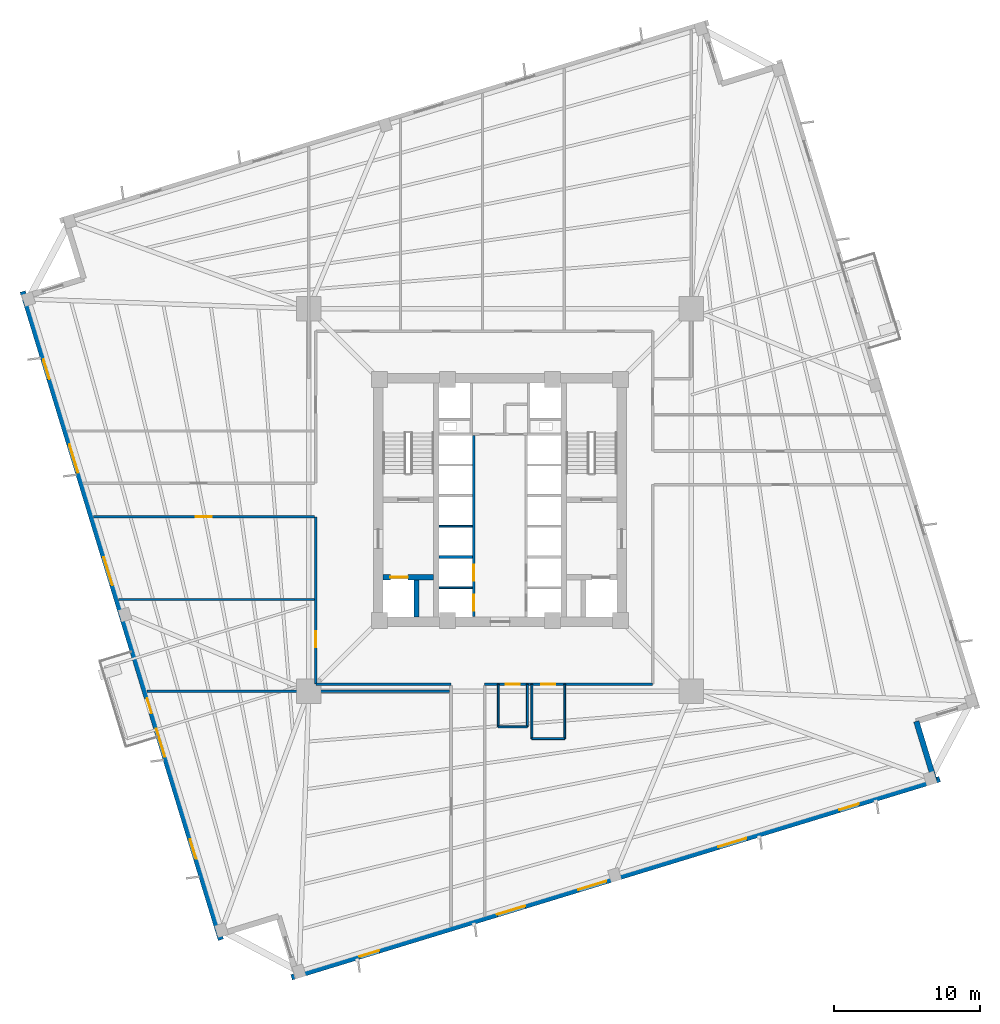
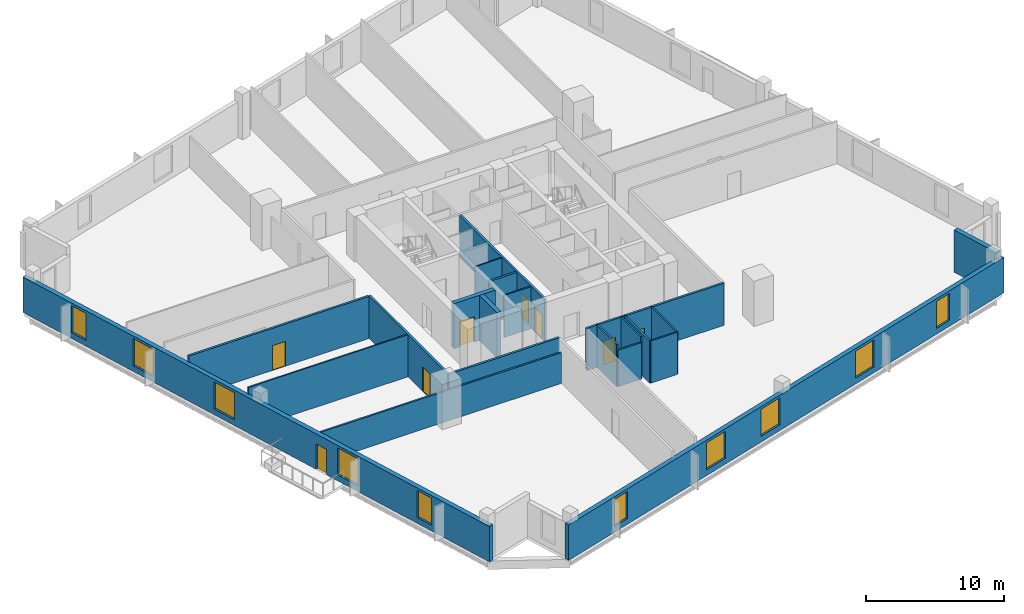
# One storey, part 3 of 9: 21 walls, 10 windows, 8 doors, 18 openings.
"""IFC4 building model written with IfcOpenShell, lengths in metres."""

from ifc_helpers import new_model, si_unit, direction, frame, frame_2d, origin, place, context, subcontext, project, spatial, rectangle, extrude, source, transform, mapped, material, layer, layer_set, type_object, element, fill, save


model = new_model("IFC4")

# Units and contexts
model_context = context("Model", 3, precision=1e-05, world=origin(), true_north=direction((0.0, 1.0)))
body_context = subcontext(model_context, "Body", "Model", "MODEL_VIEW")
ifc_project = project(units=[si_unit("LENGTHUNIT", "METRE"), si_unit("AREAUNIT", "SQUARE_METRE"), si_unit("VOLUMEUNIT", "CUBIC_METRE"), si_unit("PLANEANGLEUNIT", "RADIAN"), si_unit("MASSUNIT", "GRAM", prefix="KILO"), si_unit("THERMODYNAMICTEMPERATUREUNIT", "KELVIN")], contexts=[model_context])

# Site, building, storey
site_placement = place(None, origin())
site = spatial("IfcSite", under=ifc_project, at=site_placement, CompositionType="ELEMENT")
building_placement = place(site_placement, origin())
building = spatial("IfcBuilding", under=site, at=building_placement, Name="Kosmvard Interchange Tower", CompositionType="ELEMENT")
storey_placement = place(building_placement, frame((0.0, 0.0, 83.199951171875)))
storey = spatial("IfcBuildingStorey", under=building, at=storey_placement, Name="L19", CompositionType="ELEMENT", Elevation=83.199951171875)

# Wall
ifc_material_1 = material(Name="Acoustic gypsum partition system")
ifc_layer_1 = layer(ifc_material_1, 0.14990234375, Name="Acoustic gypsum partition system")
ifc_layer_set_1 = layer_set([ifc_layer_1], Name="Acoustic gypsum partition system")
wall_type_1 = type_object("IfcWallType", Name="Acoustic Suite & Meeting Partition 150", PredefinedType="PARTITIONING", material=ifc_layer_set_1)
wall_1_placement = place(storey_placement, frame((-24.16650390625, -13.0810546875, 0.0), z_axis=(0.0, 0.0, 1.0), x_axis=(1.0, 0.0, 0.0)))
element("IfcWall", 1, at=wall_1_placement, inside=storey, type_object=wall_type_1, Name="L19 Room Partition 10.1", PredefinedType="PARTITIONING", context=body_context, shape_type="SweptSolid", body=[
    extrude(rectangle(XDim=20.721435546875, YDim=0.14990234375, at=frame_2d((10.36083984375, 0.0))), origin(), (0.0, 0.0, 1.0), 2.73193359375),
])

# Wall, openings, doors
ifc_material_2 = material(Name="Fire-rated gypsum partition system")
ifc_layer_2 = layer(ifc_material_2, 0.179931640625, Name="Fire-rated gypsum partition system")
ifc_layer_set_2 = layer_set([ifc_layer_2], Name="Fire-rated gypsum partition system")
wall_type_2 = type_object("IfcWallType", Name="Corridor & Hotel Compartment Partition 180", PredefinedType="PARTITIONING", material=ifc_layer_set_2)
wall_2_placement = place(storey_placement, frame((-1.7900390625, -7.97998046875, 0.0), z_axis=(0.0, 0.0, 1.0), x_axis=(0.0, 1.0, 0.0)))
wall_2 = element("IfcWall", 2, at=wall_2_placement, inside=storey, type_object=wall_type_2, Name="L19 West Lift Bank Front Wall", PredefinedType="PARTITIONING", context=body_context, shape_type="SweptSolid", body=[
    extrude(rectangle(XDim=12.3798828125, YDim=0.179931640625, at=frame_2d((6.18994140625, 0.0))), origin(), (0.0, 0.0, 1.0), 3.739990234375),
])
opening_1_placement = place(wall_2_placement, frame((0.39990234375, 0.0, 0.0)))
opening_1 = element("IfcOpeningElement", 3, at=opening_1_placement, cuts=wall_2, Name="Opening LD-PL-L1-L19", PredefinedType="OPENING", context=body_context, shape_type="SweptSolid", body=[
    extrude(rectangle(XDim=1.10009765625, YDim=2.199951171875, at=frame_2d((0.550048828125, 1.10009765625))), frame((0.0, 0.10009765625, 0.0), z_axis=(0.0, -1.0, 0.0), x_axis=(1.0, 0.0, 0.0)), (0.0, 0.0, 1.0), 0.199951171875),
])
opening_2_placement = place(wall_2_placement, frame((2.4599609375, 0.0, 0.0)))
opening_2 = element("IfcOpeningElement", 4, at=opening_2_placement, cuts=wall_2, Name="Opening LD-PL-L2-L19", PredefinedType="OPENING", context=body_context, shape_type="SweptSolid", body=[
    extrude(rectangle(XDim=1.10009765625, YDim=2.199951171875, at=frame_2d((0.550048828125, 1.10009765625))), frame((0.0, 0.10009765625, 0.0), z_axis=(0.0, -1.0, 0.0), x_axis=(1.0, 0.0, 0.0)), (0.0, 0.0, 1.0), 0.199951171875),
])
ifc_material_3 = material(Name="Brushed stainless steel sliding leaf", Category="steel")
door_type_1 = type_object("IfcDoorType", Name="Passenger Lift Sliding Landing Door 1100x2200 EI60", OperationType="DOUBLE_DOOR_SLIDING", PredefinedType="DOOR", material=ifc_material_3)
shared_shape_1 = source(origin(), body_context, "Body", "SweptSolid", [
    extrude(rectangle(XDim=1.10009765625, YDim=2.199951171875, at=frame_2d((0.550048828125, 1.10009765625))), frame((0.0, 0.02490234375, 0.0), z_axis=(0.0, -1.0, 0.0), x_axis=(1.0, 0.0, 0.0)), (0.0, 0.0, 1.0), 0.050048828125),
])
door_1_placement = place(opening_1_placement, frame((1.10009765625, 0.0, 0.0), z_axis=(0.0, 0.0, 1.0), x_axis=(-1.0, 0.0, 0.0)))
door_1 = element("IfcDoor", 5, at=door_1_placement, inside=storey, type_object=door_type_1, Name="Lift PL-L1 Landing Door L19", OperationType="DOUBLE_DOOR_SLIDING", OverallHeight=2.199951171875, OverallWidth=1.10009765625, PredefinedType="DOOR", context=body_context, shape_type="MappedRepresentation", body=[
    mapped(shared_shape_1, transform((0.0, 0.0, 0.0), scale=1.0)),
])
fill(opening_1, door_1)
door_2_placement = place(opening_2_placement, frame((1.10009765625, 0.0, 0.0), z_axis=(0.0, 0.0, 1.0), x_axis=(-1.0, 0.0, 0.0)))
door_2 = element("IfcDoor", 6, at=door_2_placement, inside=storey, type_object=door_type_1, Name="Lift PL-L2 Landing Door L19", OperationType="DOUBLE_DOOR_SLIDING", OverallHeight=2.199951171875, OverallWidth=1.10009765625, PredefinedType="DOOR", context=body_context, shape_type="MappedRepresentation", body=[
    mapped(shared_shape_1, transform((0.0, 0.0, 0.0), scale=1.0)),
])
fill(opening_2, door_2)

# Wall
wall_3_placement = place(storey_placement, frame((-12.60009765625, -12.60009765625, 0.0), z_axis=(0.0, 0.0, 1.0), x_axis=(1.0, 0.0, 0.0)))
element("IfcWall", 7, at=wall_3_placement, inside=storey, type_object=wall_type_2, Name="L19 Corridor Wall CSW", PredefinedType="PARTITIONING", context=body_context, shape_type="SweptSolid", body=[
    extrude(rectangle(XDim=9.25, YDim=0.179931640625, at=frame_2d((4.625, 0.0))), origin(), (0.0, 0.0, 1.0), 3.739990234375),
])

# Wall, openings, doors
wall_4_placement = place(storey_placement, frame((-1.050048828125, -12.60009765625, 0.0), z_axis=(0.0, 0.0, 1.0), x_axis=(1.0, 0.0, 0.0)))
wall_4 = element("IfcWall", 8, at=wall_4_placement, inside=storey, type_object=wall_type_2, Name="L19 Corridor Wall CSE", PredefinedType="PARTITIONING", context=body_context, shape_type="SweptSolid", body=[
    extrude(rectangle(XDim=11.5, YDim=0.179931640625, at=frame_2d((5.75, 0.0))), origin(), (0.0, 0.0, 1.0), 3.739990234375),
])
opening_3_placement = place(wall_4_placement, frame((1.455078125, 0.0, 0.0)))
opening_3 = element("IfcOpeningElement", 9, at=opening_3_placement, cuts=wall_4, Name="Opening L19-D01", PredefinedType="OPENING", context=body_context, shape_type="SweptSolid", body=[
    extrude(rectangle(XDim=0.949951171875, YDim=2.10009765625, at=frame_2d((0.47509765625, 1.050048828125))), frame((0.0, 0.10009765625, 0.0), z_axis=(0.0, -1.0, 0.0), x_axis=(1.0, 0.0, 0.0)), (0.0, 0.0, 1.0), 0.199951171875),
])
opening_4_placement = place(wall_4_placement, frame((3.879150390625, 0.0, 0.0)))
opening_4 = element("IfcOpeningElement", 10, at=opening_4_placement, cuts=wall_4, Name="Opening L19-D02", PredefinedType="OPENING", context=body_context, shape_type="SweptSolid", body=[
    extrude(rectangle(XDim=0.949951171875, YDim=2.10009765625, at=frame_2d((0.47509765625, 1.050048828125))), frame((0.0, 0.10009765625, 0.0), z_axis=(0.0, -1.0, 0.0), x_axis=(1.0, 0.0, 0.0)), (0.0, 0.0, 1.0), 0.199951171875),
])
ifc_material_4 = material(Name="Laminated moisture-resistant timber", Category="wood")
door_type_2 = type_object("IfcDoorType", Name="Accessible Washroom Door 950x2100", OperationType="NOTDEFINED", PredefinedType="DOOR", material=ifc_material_4)
shared_shape_2 = source(origin(), body_context, "Body", "SweptSolid", [
    extrude(rectangle(XDim=0.949951171875, YDim=2.10009765625, at=frame_2d((0.47509765625, 1.050048828125))), frame((0.0, 0.02490234375, 0.0), z_axis=(0.0, -1.0, 0.0), x_axis=(1.0, 0.0, 0.0)), (0.0, 0.0, 1.0), 0.050048828125),
])
door_3_placement = place(opening_3_placement, frame((0.949951171875, 0.0, 0.0), z_axis=(0.0, 0.0, 1.0), x_axis=(-1.0, 0.0, 0.0)))
door_3 = element("IfcDoor", 11, at=door_3_placement, inside=storey, type_object=door_type_2, Name="L19 Accessible Toilet Door", OperationType="SINGLE_SWING_LEFT", OverallHeight=2.10009765625, OverallWidth=0.949951171875, PredefinedType="DOOR", context=body_context, shape_type="MappedRepresentation", body=[
    mapped(shared_shape_2, transform((0.0, 0.0, 0.0), scale=1.0)),
])
fill(opening_3, door_3)
door_4_placement = place(opening_4_placement, frame((0.949951171875, 0.0, 0.0), z_axis=(0.0, 0.0, 1.0), x_axis=(-1.0, 0.0, 0.0)))
door_4 = element("IfcDoor", 12, at=door_4_placement, inside=storey, type_object=door_type_2, Name="L19 Public Floor Washroom Door", OperationType="SINGLE_SWING_RIGHT", OverallHeight=2.10009765625, OverallWidth=0.949951171875, PredefinedType="DOOR", context=body_context, shape_type="MappedRepresentation", body=[
    mapped(shared_shape_2, transform((0.0, 0.0, 0.0), scale=1.0)),
])
fill(opening_4, door_4)

# Wall, opening, door
wall_5_placement = place(storey_placement, frame((-12.60009765625, -12.60009765625, 0.0), z_axis=(0.0, 0.0, 1.0), x_axis=(0.0, 1.0, 0.0)))
wall_5 = element("IfcWall", 13, at=wall_5_placement, inside=storey, type_object=wall_type_2, Name="L19 Corridor Wall CWS", PredefinedType="PARTITIONING", context=body_context, shape_type="SweptSolid", body=[
    extrude(rectangle(XDim=11.4501953125, YDim=0.179931640625, at=frame_2d((5.72509765625, 0.0))), origin(), (0.0, 0.0, 1.0), 3.739990234375),
])
opening_5_placement = place(wall_5_placement, frame((2.514404296875, 0.0, 0.0)))
opening_5 = element("IfcOpeningElement", 14, at=opening_5_placement, cuts=wall_5, Name="Opening L19-D13", PredefinedType="OPENING", context=body_context, shape_type="SweptSolid", body=[
    extrude(rectangle(XDim=1.10009765625, YDim=2.199951171875, at=frame_2d((0.550048828125, 1.10009765625))), frame((0.0, 0.10009765625, 0.0), z_axis=(0.0, -1.0, 0.0), x_axis=(1.0, 0.0, 0.0)), (0.0, 0.0, 1.0), 0.199951171875),
])
ifc_material_5 = material(Name="Engineered oak fire-rated timber", Category="wood")
door_type_3 = type_object("IfcDoorType", Name="Office Suite Entrance Door 1100x2200 FD30S", OperationType="NOTDEFINED", PredefinedType="DOOR", material=ifc_material_5)
door_5_placement = place(opening_5_placement, origin())
door_5 = element("IfcDoor", 15, at=door_5_placement, inside=storey, type_object=door_type_3, Name="L19 West Counsel Office 8 Door", OperationType="SINGLE_SWING_LEFT", OverallHeight=2.199951171875, OverallWidth=1.10009765625, PredefinedType="DOOR", context=body_context, shape_type="MappedRepresentation", body=[
    mapped(shared_shape_1, transform((0.0, 0.0, 0.0), scale=1.0)),
])
fill(opening_5, door_5)

wall_6_placement = place(storey_placement, frame((-27.814208984375, -1.14990234375, 0.0), z_axis=(0.0, 0.0, 1.0), x_axis=(1.0, 0.0, 0.0)))
wall_6 = element("IfcWall", 16, at=wall_6_placement, inside=storey, type_object=wall_type_2, Name="L19 Corridor Wall SWS", PredefinedType="PARTITIONING", context=body_context, shape_type="SweptSolid", body=[
    extrude(rectangle(XDim=15.1142578125, YDim=0.179931640625, at=frame_2d((7.55712890625, 0.0))), origin(), (0.0, 0.0, 1.0), 3.739990234375),
])
opening_6_placement = place(wall_6_placement, frame((7.007080078125, 0.0, 0.0)))
opening_6 = element("IfcOpeningElement", 17, at=opening_6_placement, cuts=wall_6, Name="Opening L19-D12", PredefinedType="OPENING", context=body_context, shape_type="SweptSolid", body=[
    extrude(rectangle(XDim=1.10009765625, YDim=2.199951171875, at=frame_2d((0.550048828125, 1.10009765625))), frame((0.0, 0.10009765625, 0.0), z_axis=(0.0, -1.0, 0.0), x_axis=(1.0, 0.0, 0.0)), (0.0, 0.0, 1.0), 0.199951171875),
])
door_6_placement = place(opening_6_placement, frame((1.10009765625, 0.0, 0.0), z_axis=(0.0, 0.0, 1.0), x_axis=(-1.0, 0.0, 0.0)))
door_6 = element("IfcDoor", 18, at=door_6_placement, inside=storey, type_object=door_type_3, Name="L19 Staff Breakout Pantry Door", OperationType="SINGLE_SWING_RIGHT", OverallHeight=2.199951171875, OverallWidth=1.10009765625, PredefinedType="DOOR", context=body_context, shape_type="MappedRepresentation", body=[
    mapped(shared_shape_1, transform((0.0, 0.0, 0.0), scale=1.0)),
])
fill(opening_6, door_6)

# Wall, openings, windows
ifc_material_6 = material(Name="Precast concrete C45/55", Category="concrete")
ifc_layer_3 = layer(ifc_material_6, 0.3798828125, Name="Precast concrete C45/55")
ifc_layer_set_3 = layer_set([ifc_layer_3], Name="Precast concrete C45/55")
wall_type_3 = type_object("IfcWallType", Name="Lower Tower Precast Pier Wall 380 C45/55", PredefinedType="STANDARD", material=ifc_layer_set_3)
wall_7_placement = place(storey_placement, frame((-14.26513671875, -32.65771484375, 0.0), z_axis=(0.0, 0.0, 1.0), x_axis=(0.956304320851, 0.292373127906, 0.0)))
wall_7 = element("IfcWall", 19, at=wall_7_placement, inside=storey, type_object=wall_type_3, Name="L19 Precast Facade Wall F-S", PredefinedType="STANDARD", context=body_context, shape_type="SweptSolid", body=[
    extrude(rectangle(XDim=46.380126953125, YDim=0.3798828125, at=frame_2d((23.18994140625, 0.0))), origin(), (0.0, 0.0, 1.0), 3.14013671875),
])
opening_7_placement = place(wall_7_placement, frame((4.865478515625, 0.0, 0.510009765625)))
opening_7 = element("IfcOpeningElement", 20, at=opening_7_placement, cuts=wall_7, Name="Opening L19-W01", PredefinedType="OPENING", context=body_context, shape_type="SweptSolid", body=[
    extrude(rectangle(XDim=1.39990234375, YDim=2.39990234375, at=frame_2d((0.699951171875, 1.199951171875))), frame((0.0, 0.199951171875, 0.0), z_axis=(0.0, -1.0, 0.0), x_axis=(1.0, 0.0, 0.0)), (0.0, 0.0, 1.0), 0.39990234375),
])
opening_8_placement = place(wall_7_placement, frame((14.7001953125, 0.0, 0.510009765625)))
opening_8 = element("IfcOpeningElement", 21, at=opening_8_placement, cuts=wall_7, Name="Opening L19-W02", PredefinedType="OPENING", context=body_context, shape_type="SweptSolid", body=[
    extrude(rectangle(XDim=2.0, YDim=2.39990234375, at=frame_2d((1.0, 1.199951171875))), frame((0.0, 0.199951171875, 0.0), z_axis=(0.0, -1.0, 0.0), x_axis=(1.0, 0.0, 0.0)), (0.0, 0.0, 1.0), 0.39990234375),
])
opening_9_placement = place(wall_7_placement, frame((20.512451171875, 0.0, 0.510009765625)))
opening_9 = element("IfcOpeningElement", 22, at=opening_9_placement, cuts=wall_7, Name="Opening L19-W03", PredefinedType="OPENING", context=body_context, shape_type="SweptSolid", body=[
    extrude(rectangle(XDim=2.0, YDim=2.39990234375, at=frame_2d((1.0, 1.199951171875))), frame((0.0, 0.199951171875, 0.0), z_axis=(0.0, -1.0, 0.0), x_axis=(1.0, 0.0, 0.0)), (0.0, 0.0, 1.0), 0.39990234375),
])
opening_10_placement = place(wall_7_placement, frame((30.538330078125, 0.0, 0.510009765625)))
opening_10 = element("IfcOpeningElement", 23, at=opening_10_placement, cuts=wall_7, Name="Opening L19-W04", PredefinedType="OPENING", context=body_context, shape_type="SweptSolid", body=[
    extrude(rectangle(XDim=2.0, YDim=2.39990234375, at=frame_2d((1.0, 1.199951171875))), frame((0.0, 0.199951171875, 0.0), z_axis=(0.0, -1.0, 0.0), x_axis=(1.0, 0.0, 0.0)), (0.0, 0.0, 1.0), 0.39990234375),
])
opening_11_placement = place(wall_7_placement, frame((39.186767578125, 0.0, 0.510009765625)))
opening_11 = element("IfcOpeningElement", 24, at=opening_11_placement, cuts=wall_7, Name="Opening L19-W05", PredefinedType="OPENING", context=body_context, shape_type="SweptSolid", body=[
    extrude(rectangle(XDim=1.39990234375, YDim=2.39990234375, at=frame_2d((0.699951171875, 1.199951171875))), frame((0.0, 0.199951171875, 0.0), z_axis=(0.0, -1.0, 0.0), x_axis=(1.0, 0.0, 0.0)), (0.0, 0.0, 1.0), 0.39990234375),
])
ifc_material_7 = material(Name="Low-E solar-control double glazing", Category="glass")
window_type_1 = type_object("IfcWindowType", Name="Notched Corner Feature Window 1400x2400", PartitioningType="SINGLE_PANEL", PredefinedType="WINDOW", material=ifc_material_7)
shared_shape_3 = source(origin(), body_context, "Body", "SweptSolid", [
    extrude(rectangle(XDim=1.39990234375, YDim=2.39990234375, at=frame_2d((0.699951171875, 1.199951171875))), frame((0.0, 0.030029296875, 0.0), z_axis=(0.0, -1.0, 0.0), x_axis=(1.0, 0.0, 0.0)), (0.0, 0.0, 1.0), 0.06005859375),
])
window_1_placement = place(opening_7_placement, origin())
window_1 = element("IfcWindow", 25, at=window_1_placement, inside=storey, type_object=window_type_1, Name="L19 Facade Punched Window 01", OverallHeight=2.39990234375, OverallWidth=1.39990234375, PartitioningType="SINGLE_PANEL", PredefinedType="WINDOW", context=body_context, shape_type="MappedRepresentation", body=[
    mapped(shared_shape_3, transform((0.0, 0.0, 0.0), scale=1.0)),
])
fill(opening_7, window_1)
window_2_placement = place(opening_11_placement, origin())
window_2 = element("IfcWindow", 26, at=window_2_placement, inside=storey, type_object=window_type_1, Name="L19 Facade Punched Window 05", OverallHeight=2.39990234375, OverallWidth=1.39990234375, PartitioningType="SINGLE_PANEL", PredefinedType="WINDOW", context=body_context, shape_type="MappedRepresentation", body=[
    mapped(shared_shape_3, transform((0.0, 0.0, 0.0), scale=1.0)),
])
fill(opening_11, window_2)
window_type_2 = type_object("IfcWindowType", Name="Zone 2 Office Punched Window 2000x2400", PartitioningType="SINGLE_PANEL", PredefinedType="WINDOW", material=ifc_material_7)
shared_shape_4 = source(origin(), body_context, "Body", "SweptSolid", [
    extrude(rectangle(XDim=2.0, YDim=2.39990234375, at=frame_2d((1.0, 1.199951171875))), frame((0.0, 0.030029296875, 0.0), z_axis=(0.0, -1.0, 0.0), x_axis=(1.0, 0.0, 0.0)), (0.0, 0.0, 1.0), 0.06005859375),
])
window_3_placement = place(opening_8_placement, origin())
window_3 = element("IfcWindow", 27, at=window_3_placement, inside=storey, type_object=window_type_2, Name="L19 Facade Punched Window 02", OverallHeight=2.39990234375, OverallWidth=2.0, PartitioningType="SINGLE_PANEL", PredefinedType="WINDOW", context=body_context, shape_type="MappedRepresentation", body=[
    mapped(shared_shape_4, transform((0.0, 0.0, 0.0), scale=1.0)),
])
fill(opening_8, window_3)
window_4_placement = place(opening_9_placement, origin())
window_4 = element("IfcWindow", 28, at=window_4_placement, inside=storey, type_object=window_type_2, Name="L19 Facade Punched Window 03", OverallHeight=2.39990234375, OverallWidth=2.0, PartitioningType="SINGLE_PANEL", PredefinedType="WINDOW", context=body_context, shape_type="MappedRepresentation", body=[
    mapped(shared_shape_4, transform((0.0, 0.0, 0.0), scale=1.0)),
])
fill(opening_9, window_4)
window_5_placement = place(opening_10_placement, origin())
window_5 = element("IfcWindow", 29, at=window_5_placement, inside=storey, type_object=window_type_2, Name="L19 Facade Punched Window 04", OverallHeight=2.39990234375, OverallWidth=2.0, PartitioningType="SINGLE_PANEL", PredefinedType="WINDOW", context=body_context, shape_type="MappedRepresentation", body=[
    mapped(shared_shape_4, transform((0.0, 0.0, 0.0), scale=1.0)),
])
fill(opening_10, window_5)

# Wall
wall_8_placement = place(storey_placement, frame((29.724853515625, -19.20849609375, 0.0), z_axis=(0.0, 0.0, 1.0), x_axis=(-0.292345507338, 0.956312764915, 0.0)))
element("IfcWall", 30, at=wall_8_placement, inside=storey, type_object=wall_type_3, Name="L19 Precast Facade Wall N-SE1", PredefinedType="STANDARD", context=body_context, shape_type="SweptSolid", body=[
    extrude(rectangle(XDim=4.249755859375, YDim=0.3798828125, at=frame_2d((2.125, 0.0))), origin(), (0.0, 0.0, 1.0), 3.739990234375),
])

# Wall, openings, door, windows
wall_9_placement = place(storey_placement, frame((-32.65771484375, 14.26513671875, 0.0), z_axis=(0.0, 0.0, 1.0), x_axis=(0.292373127906, -0.956304320851, 0.0)))
wall_9 = element("IfcWall", 31, at=wall_9_placement, inside=storey, type_object=wall_type_3, Name="L19 Precast Facade Wall F-W", PredefinedType="STANDARD", context=body_context, shape_type="SweptSolid", body=[
    extrude(rectangle(XDim=46.380126953125, YDim=0.3798828125, at=frame_2d((23.18994140625, 0.0))), origin(), (0.0, 0.0, 1.0), 3.14013671875),
])
opening_12_placement = place(wall_9_placement, frame((29.114990234375, 0.0, 0.0)))
opening_12 = element("IfcOpeningElement", 32, at=opening_12_placement, cuts=wall_9, Name="Opening L19-BDW", PredefinedType="OPENING", context=body_context, shape_type="SweptSolid", body=[
    extrude(rectangle(XDim=1.050048828125, YDim=2.25, at=frame_2d((0.52490234375, 1.125))), frame((0.0, 0.199951171875, 0.0), z_axis=(0.0, -1.0, 0.0), x_axis=(1.0, 0.0, 0.0)), (0.0, 0.0, 1.0), 0.39990234375),
])
opening_13_placement = place(wall_9_placement, frame((4.865478515625, 0.0, 0.510009765625)))
opening_13 = element("IfcOpeningElement", 33, at=opening_13_placement, cuts=wall_9, Name="Opening L19-W15", PredefinedType="OPENING", context=body_context, shape_type="SweptSolid", body=[
    extrude(rectangle(XDim=1.39990234375, YDim=2.39990234375, at=frame_2d((0.699951171875, 1.199951171875))), frame((0.0, 0.199951171875, 0.0), z_axis=(0.0, -1.0, 0.0), x_axis=(1.0, 0.0, 0.0)), (0.0, 0.0, 1.0), 0.39990234375),
])
opening_14_placement = place(wall_9_placement, frame((10.9501953125, 0.0, 0.510009765625)))
opening_14 = element("IfcOpeningElement", 34, at=opening_14_placement, cuts=wall_9, Name="Opening L19-W16", PredefinedType="OPENING", context=body_context, shape_type="SweptSolid", body=[
    extrude(rectangle(XDim=2.0, YDim=2.39990234375, at=frame_2d((1.0, 1.199951171875))), frame((0.0, 0.199951171875, 0.0), z_axis=(0.0, -1.0, 0.0), x_axis=(1.0, 0.0, 0.0)), (0.0, 0.0, 1.0), 0.39990234375),
])
opening_15_placement = place(wall_9_placement, frame((19.012451171875, 0.0, 0.510009765625)))
opening_15 = element("IfcOpeningElement", 35, at=opening_15_placement, cuts=wall_9, Name="Opening L19-W17", PredefinedType="OPENING", context=body_context, shape_type="SweptSolid", body=[
    extrude(rectangle(XDim=2.0, YDim=2.39990234375, at=frame_2d((1.0, 1.199951171875))), frame((0.0, 0.199951171875, 0.0), z_axis=(0.0, -1.0, 0.0), x_axis=(1.0, 0.0, 0.0)), (0.0, 0.0, 1.0), 0.39990234375),
])
opening_16_placement = place(wall_9_placement, frame((31.288330078125, 0.0, 0.510009765625)))
opening_16 = element("IfcOpeningElement", 36, at=opening_16_placement, cuts=wall_9, Name="Opening L19-W18", PredefinedType="OPENING", context=body_context, shape_type="SweptSolid", body=[
    extrude(rectangle(XDim=2.0, YDim=2.39990234375, at=frame_2d((1.0, 1.199951171875))), frame((0.0, 0.199951171875, 0.0), z_axis=(0.0, -1.0, 0.0), x_axis=(1.0, 0.0, 0.0)), (0.0, 0.0, 1.0), 0.39990234375),
])
opening_17_placement = place(wall_9_placement, frame((39.186767578125, 0.0, 0.510009765625)))
opening_17 = element("IfcOpeningElement", 37, at=opening_17_placement, cuts=wall_9, Name="Opening L19-W19", PredefinedType="OPENING", context=body_context, shape_type="SweptSolid", body=[
    extrude(rectangle(XDim=1.39990234375, YDim=2.39990234375, at=frame_2d((0.699951171875, 1.199951171875))), frame((0.0, 0.199951171875, 0.0), z_axis=(0.0, -1.0, 0.0), x_axis=(1.0, 0.0, 0.0)), (0.0, 0.0, 1.0), 0.39990234375),
])
ifc_material_8 = material(Name="Anodised aluminium and safety glass", Category="aluminium")
door_type_4 = type_object("IfcDoorType", Name="Tree-Balcony Glazed Door 1050x2250", OperationType="NOTDEFINED", PredefinedType="DOOR", material=ifc_material_8)
shared_shape_5 = source(origin(), body_context, "Body", "SweptSolid", [
    extrude(rectangle(XDim=1.050048828125, YDim=2.25, at=frame_2d((0.52490234375, 1.125))), frame((0.0, 0.02490234375, 0.0), z_axis=(0.0, -1.0, 0.0), x_axis=(1.0, 0.0, 0.0)), (0.0, 0.0, 1.0), 0.050048828125),
])
door_7_placement = place(opening_12_placement, origin())
door_7 = element("IfcDoor", 38, at=door_7_placement, inside=storey, type_object=door_type_4, Name="L19 Tree-Balcony Door BAL-L19-W", OperationType="SINGLE_SWING_RIGHT", OverallHeight=2.25, OverallWidth=1.050048828125, PredefinedType="DOOR", context=body_context, shape_type="MappedRepresentation", body=[
    mapped(shared_shape_5, transform((0.0, 0.0, 0.0), scale=1.0)),
])
fill(opening_12, door_7)
window_6_placement = place(opening_13_placement, origin())
window_6 = element("IfcWindow", 39, at=window_6_placement, inside=storey, type_object=window_type_1, Name="L19 Facade Punched Window 15", OverallHeight=2.39990234375, OverallWidth=1.39990234375, PartitioningType="SINGLE_PANEL", PredefinedType="WINDOW", context=body_context, shape_type="MappedRepresentation", body=[
    mapped(shared_shape_3, transform((0.0, 0.0, 0.0), scale=1.0)),
])
fill(opening_13, window_6)
window_7_placement = place(opening_17_placement, origin())
window_7 = element("IfcWindow", 40, at=window_7_placement, inside=storey, type_object=window_type_1, Name="L19 Facade Punched Window 19", OverallHeight=2.39990234375, OverallWidth=1.39990234375, PartitioningType="SINGLE_PANEL", PredefinedType="WINDOW", context=body_context, shape_type="MappedRepresentation", body=[
    mapped(shared_shape_3, transform((0.0, 0.0, 0.0), scale=1.0)),
])
fill(opening_17, window_7)
window_8_placement = place(opening_14_placement, origin())
window_8 = element("IfcWindow", 41, at=window_8_placement, inside=storey, type_object=window_type_2, Name="L19 Facade Punched Window 16", OverallHeight=2.39990234375, OverallWidth=2.0, PartitioningType="SINGLE_PANEL", PredefinedType="WINDOW", context=body_context, shape_type="MappedRepresentation", body=[
    mapped(shared_shape_4, transform((0.0, 0.0, 0.0), scale=1.0)),
])
fill(opening_14, window_8)
window_9_placement = place(opening_15_placement, origin())
window_9 = element("IfcWindow", 42, at=window_9_placement, inside=storey, type_object=window_type_2, Name="L19 Facade Punched Window 17", OverallHeight=2.39990234375, OverallWidth=2.0, PartitioningType="SINGLE_PANEL", PredefinedType="WINDOW", context=body_context, shape_type="MappedRepresentation", body=[
    mapped(shared_shape_4, transform((0.0, 0.0, 0.0), scale=1.0)),
])
fill(opening_15, window_9)
window_10_placement = place(opening_16_placement, origin())
window_10 = element("IfcWindow", 43, at=window_10_placement, inside=storey, type_object=window_type_2, Name="L19 Facade Punched Window 18", OverallHeight=2.39990234375, OverallWidth=2.0, PartitioningType="SINGLE_PANEL", PredefinedType="WINDOW", context=body_context, shape_type="MappedRepresentation", body=[
    mapped(shared_shape_4, transform((0.0, 0.0, 0.0), scale=1.0)),
])
fill(opening_16, window_10)

# Walls
ifc_material_9 = material(Name="Gypsum board partition system")
ifc_layer_4 = layer(ifc_material_9, 0.1201171875, Name="Gypsum board partition system")
ifc_layer_set_4 = layer_set([ifc_layer_4], Name="Gypsum board partition system")
wall_type_4 = type_object("IfcWallType", Name="Office Cellular Partition 120", PredefinedType="PARTITIONING", material=ifc_layer_set_4)
wall_10_placement = place(storey_placement, frame((-26.086669921875, -6.800048828125, 0.0), z_axis=(0.0, 0.0, 1.0), x_axis=(1.0, 0.0, 0.0)))
element("IfcWall", 44, at=wall_10_placement, inside=storey, type_object=wall_type_4, Name="L19 Room Partition 11.1", PredefinedType="PARTITIONING", context=body_context, shape_type="SweptSolid", body=[
    extrude(rectangle(XDim=13.3916015625, YDim=0.1201171875, at=frame_2d((6.69580078125, 0.0))), origin(), (0.0, 0.0, 1.0), 3.739990234375),
])
ifc_material_10 = material(Name="Concrete blockwork masonry", Category="masonry")
ifc_layer_5 = layer(ifc_material_10, 0.179931640625, Name="Concrete blockwork masonry")
ifc_layer_set_5 = layer_set([ifc_layer_5], Name="Concrete blockwork masonry")
wall_type_5 = type_object("IfcWallType", Name="Riser & Lift Bank Divider Wall 180", PredefinedType="PARTITIONING", material=ifc_layer_set_5)
wall_11_placement = place(storey_placement, frame((-4.169921875, -3.89990234375, 0.0), z_axis=(0.0, 0.0, 1.0), x_axis=(1.0, 0.0, 0.0)))
element("IfcWall", 45, at=wall_11_placement, inside=storey, type_object=wall_type_5, Name="L19 West Bank Divider BD1", PredefinedType="PARTITIONING", context=body_context, shape_type="SweptSolid", body=[
    extrude(rectangle(XDim=2.280029296875, YDim=0.179931640625, at=frame_2d((1.14013671875, 0.0))), origin(), (0.0, 0.0, 1.0), 3.739990234375),
])
ifc_material_11 = material(Name="Fire-rated gypsum shaftwall system")
ifc_layer_6 = layer(ifc_material_11, 0.1201171875, Name="Fire-rated gypsum shaftwall system")
ifc_layer_set_6 = layer_set([ifc_layer_6], Name="Fire-rated gypsum shaftwall system")
wall_type_6 = type_object("IfcWallType", Name="Shaft & Riser Fire Partition 120 EI60", PredefinedType="PARTITIONING", material=ifc_layer_set_6)
for number, where, z_axis, x_axis, name in (
    (46, (-4.159912109375, -6.0, 0.0), (0.0, 0.0, 1.0), (1.0, 0.0, 0.0), "L19 Shaft Divider PL-L1"),
    (47, (-4.159912109375, -1.800048828125, 0.0), (0.0, 0.0, 1.0), (1.0, 0.0, 0.0), "L19 Shaft Divider PL-M1"),
):
    element("IfcWall", number, at=place(storey_placement, frame(where, z_axis=z_axis, x_axis=x_axis)), inside=storey, type_object=wall_type_6, Name=name, PredefinedType="PARTITIONING", context=body_context, shape_type="SweptSolid", body=[
        extrude(rectangle(XDim=2.260009765625, YDim=0.1201171875, at=frame_2d((1.1298828125, 0.0))), origin(), (0.0, 0.0, 1.0), 3.739990234375),
    ])

# Wall, opening, door
ifc_material_12 = material(Name="Concrete C60/75", Category="concrete")
ifc_layer_7 = layer(ifc_material_12, 0.360107421875, Name="Concrete C60/75")
ifc_layer_set_7 = layer_set([ifc_layer_7], Name="Concrete C60/75")
wall_type_7 = type_object("IfcWallType", Name="Stair & Lift Shaft Shear Wall 360 C60/75", PredefinedType="SHEAR", material=ifc_layer_set_7)
wall_12_placement = place(storey_placement, frame((-8.0, -5.280029296875, 0.0), z_axis=(0.0, 0.0, 1.0), x_axis=(1.0, 0.0, 0.0)))
wall_12 = element("IfcWall", 48, at=wall_12_placement, inside=storey, type_object=wall_type_7, Name="L19 Shaft Shear Wall SW-FF1", PredefinedType="SHEAR", context=body_context, shape_type="SweptSolid", body=[
    extrude(rectangle(XDim=3.4599609375, YDim=0.360107421875, at=frame_2d((1.72998046875, 0.0))), origin(), (0.0, 0.0, 1.0), 4.0),
])
opening_18_placement = place(wall_12_placement, frame((0.5, 0.0, 0.0)))
opening_18 = element("IfcOpeningElement", 49, at=opening_18_placement, cuts=wall_12, Name="Opening LD-FF-1-L19", PredefinedType="OPENING", context=body_context, shape_type="SweptSolid", body=[
    extrude(rectangle(XDim=1.199951171875, YDim=2.25, at=frame_2d((0.60009765625, 1.125))), frame((0.0, 0.18994140625, 0.0), z_axis=(0.0, -1.0, 0.0), x_axis=(1.0, 0.0, 0.0)), (0.0, 0.0, 1.0), 0.380126953125),
])
door_type_5 = type_object("IfcDoorType", Name="Firefighting Lift Sliding Landing Door 1200x2250 EI120", OperationType="DOUBLE_DOOR_SLIDING", PredefinedType="DOOR", material=ifc_material_3)
shared_shape_6 = source(origin(), body_context, "Body", "SweptSolid", [
    extrude(rectangle(XDim=1.199951171875, YDim=2.25, at=frame_2d((0.60009765625, 1.125))), frame((0.0, 0.02490234375, 0.0), z_axis=(0.0, -1.0, 0.0), x_axis=(1.0, 0.0, 0.0)), (0.0, 0.0, 1.0), 0.050048828125),
])
door_8_placement = place(opening_18_placement, origin())
door_8 = element("IfcDoor", 50, at=door_8_placement, inside=storey, type_object=door_type_5, Name="Lift FF-1 Landing Door L19", OperationType="DOUBLE_DOOR_SLIDING", OverallHeight=2.25, OverallWidth=1.199951171875, PredefinedType="DOOR", context=body_context, shape_type="MappedRepresentation", body=[
    mapped(shared_shape_6, transform((0.0, 0.0, 0.0), scale=1.0)),
])
fill(opening_18, door_8)

# Walls
wall_13_placement = place(storey_placement, frame((-5.7099609375, -8.0, 0.0), z_axis=(0.0, 0.0, 1.0), x_axis=(0.0, 1.0, 0.0)))
element("IfcWall", 51, at=wall_13_placement, inside=storey, type_object=wall_type_7, Name="L19 Shaft Shear Wall SW-SM1", PredefinedType="SHEAR", context=body_context, shape_type="SweptSolid", body=[
    extrude(rectangle(XDim=2.5400390625, YDim=0.360107421875, at=frame_2d((1.27001953125, 0.0))), origin(), (0.0, 0.0, 1.0), 4.0),
])
ifc_material_13 = material(Name="Moisture-resistant gypsum partition")
ifc_layer_8 = layer(ifc_material_13, 0.135009765625, Name="Moisture-resistant gypsum partition")
ifc_layer_set_8 = layer_set([ifc_layer_8], Name="Moisture-resistant gypsum partition")
wall_type_8 = type_object("IfcWallType", Name="Wet Room Moisture-Resistant Partition 135", PredefinedType="PARTITIONING", material=ifc_layer_set_8)
wall_14_placement = place(storey_placement, frame((-0.1201171875, -15.52001953125, 0.0), z_axis=(0.0, 0.0, 1.0), x_axis=(1.0, 0.0, 0.0)))
element("IfcWall", 52, at=wall_14_placement, inside=storey, type_object=wall_type_8, Name="L19 Washroom Partition AWC1-S", PredefinedType="PARTITIONING", context=body_context, shape_type="SweptSolid", body=[
    extrude(rectangle(XDim=2.0, YDim=0.135009765625, at=frame_2d((1.0, 0.0))), origin(), (0.0, 0.0, 1.0), 3.239990234375),
])
for number, where, z_axis, x_axis, name in (
    (53, (1.8798828125, -15.52001953125, 0.0), (0.0, 0.0, 1.0), (0.0, 1.0, 0.0), "L19 Washroom Partition AWC1-E"),
    (54, (-0.1201171875, -15.52001953125, 0.0), (0.0, 0.0, 1.0), (0.0, 1.0, 0.0), "L19 Washroom Partition AWC1-W"),
):
    element("IfcWall", number, at=place(storey_placement, frame(where, z_axis=z_axis, x_axis=x_axis)), inside=storey, type_object=wall_type_8, Name=name, PredefinedType="PARTITIONING", context=body_context, shape_type="SweptSolid", body=[
        extrude(rectangle(XDim=2.89990234375, YDim=0.135009765625, at=frame_2d((1.449951171875, 0.0))), origin(), (0.0, 0.0, 1.0), 3.739990234375),
    ])
wall_15_placement = place(storey_placement, frame((2.17919921875, -16.320068359375, 0.0), z_axis=(0.0, 0.0, 1.0), x_axis=(1.0, 0.0, 0.0)))
element("IfcWall", 55, at=wall_15_placement, inside=storey, type_object=wall_type_8, Name="L19 Washroom Partition WC1-S", PredefinedType="PARTITIONING", context=body_context, shape_type="SweptSolid", body=[
    extrude(rectangle(XDim=2.25, YDim=0.135009765625, at=frame_2d((1.125, 0.0))), origin(), (0.0, 0.0, 1.0), 3.739990234375),
])
for number, where, z_axis, x_axis, name in (
    (56, (4.42919921875, -16.320068359375, 0.0), (0.0, 0.0, 1.0), (0.0, 1.0, 0.0), "L19 Washroom Partition WC1-E"),
    (57, (2.17919921875, -16.320068359375, 0.0), (0.0, 0.0, 1.0), (0.0, 1.0, 0.0), "L19 Washroom Partition WC1-W"),
):
    element("IfcWall", number, at=place(storey_placement, frame(where, z_axis=z_axis, x_axis=x_axis)), inside=storey, type_object=wall_type_8, Name=name, PredefinedType="PARTITIONING", context=body_context, shape_type="SweptSolid", body=[
        extrude(rectangle(XDim=3.699951171875, YDim=0.135009765625, at=frame_2d((1.85009765625, 0.0))), origin(), (0.0, 0.0, 1.0), 3.739990234375),
    ])

save(model, "model.ifc")
